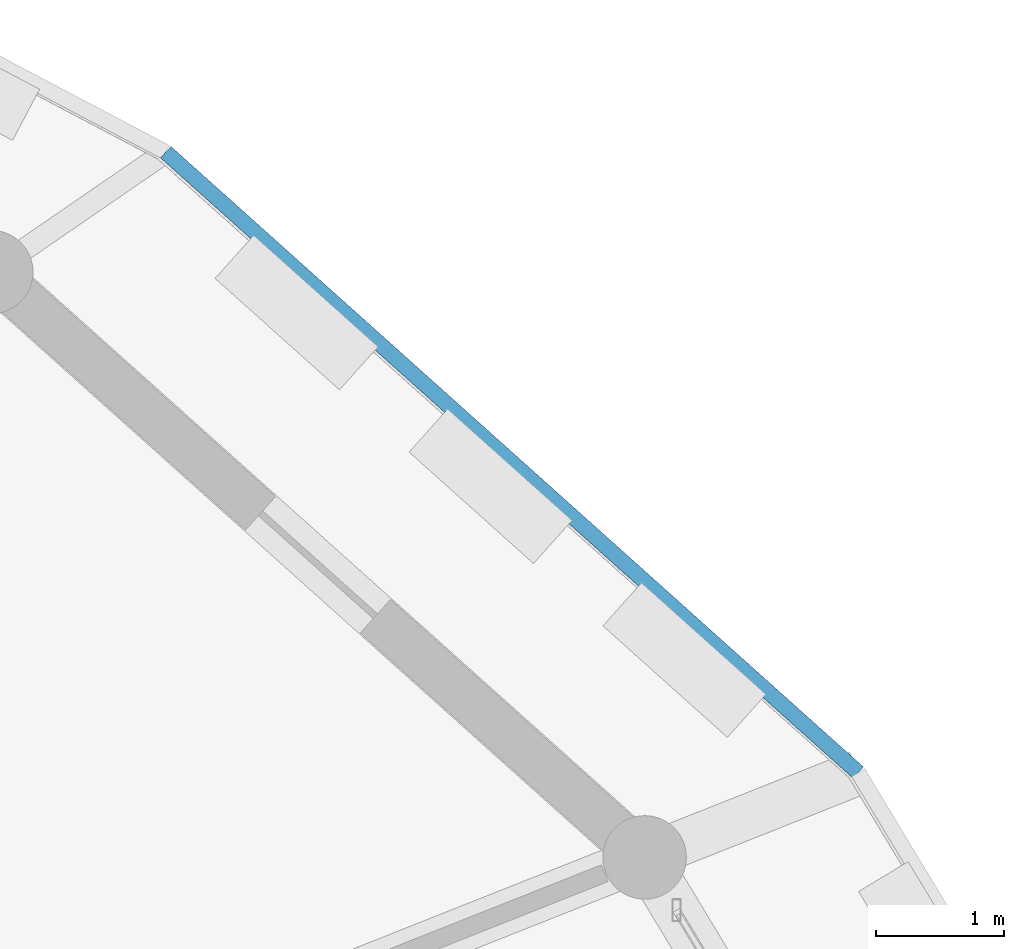
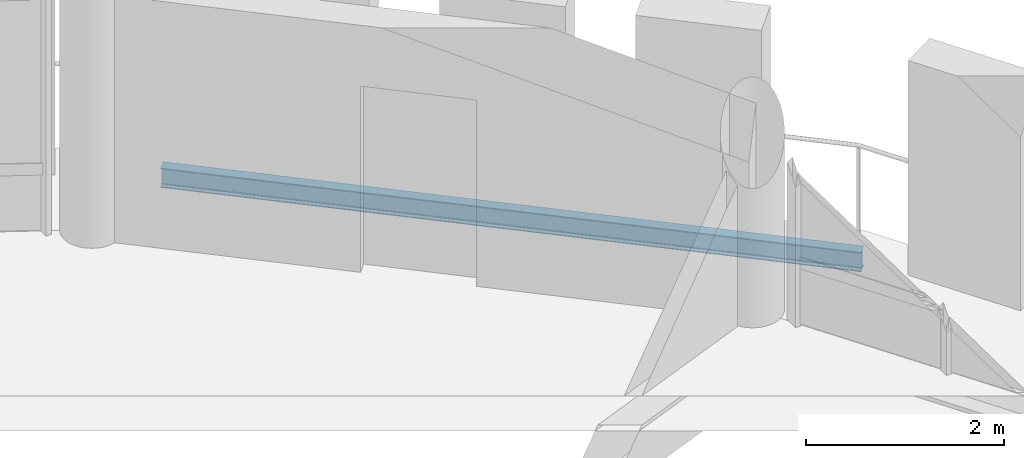
# One storey, part 51 of 93: 1 beam.
"""IFC4 building model written with IfcOpenShell, lengths in metres."""

from ifc_helpers import new_model, si_unit, direction, frame, origin, origin_2d, place, context, subcontext, project, spatial, i_section, extrude, material, material_profile, profile_set, type_object, element, save


model = new_model("IFC4")

# Units and contexts
model_context = context("Model", 3, precision=1e-05, world=origin(), true_north=direction((0.0, 1.0)))
body_context = subcontext(model_context, "Body", "Model", "MODEL_VIEW")
ifc_project = project(units=[si_unit("LENGTHUNIT", "METRE"), si_unit("AREAUNIT", "SQUARE_METRE"), si_unit("VOLUMEUNIT", "CUBIC_METRE"), si_unit("PLANEANGLEUNIT", "RADIAN"), si_unit("MASSUNIT", "GRAM", prefix="KILO")], contexts=[model_context])

# Site, building, storey
site_placement = place(None, origin())
site = spatial("IfcSite", under=ifc_project, at=site_placement, CompositionType="ELEMENT")
building_placement = place(site_placement, origin())
building = spatial("IfcBuilding", under=site, at=building_placement, Name="Zornivar Specialist Clinic", CompositionType="ELEMENT")
storey_placement = place(building_placement, frame((0.0, 0.0, 8.39990234375)))
storey = spatial("IfcBuildingStorey", under=building, at=storey_placement, Name="L02", CompositionType="ELEMENT", Elevation=8.39990234375)

# Beam
ifc_material = material(Name="Steel S355J2", Category="steel")
ifc_material_profile = material_profile(ifc_material, i_section(OverallWidth=0.1201171875, OverallDepth=0.239990234375, WebThickness=0.006103515625, FlangeThickness=0.009765625, FilletRadius=0.014892578125, at=origin_2d()), Name="IPE 240")
ifc_profile_set = profile_set([ifc_material_profile], Name="Steel S355J2")
beam_type = type_object("IfcBeamType", Name="BM-STL-IPE240", PredefinedType="JOIST", material=ifc_profile_set)
beam_placement = place(storey_placement, frame((122.97607421875, 69.260009765625, -0.35986328125), z_axis=(-0.744798316601, 0.66728964295, 0.0), x_axis=(-0.66728964295, -0.744798316601, 0.0)))
element("IfcBeam", 1, at=beam_placement, inside=storey, type_object=beam_type, Name="bm:V1:L02:balring:02", PredefinedType="JOIST", context=body_context, shape_type="SweptSolid", body=[
    extrude(i_section(OverallWidth=0.1201171875, OverallDepth=0.239990234375, WebThickness=0.006103515625, FlangeThickness=0.009765625, FilletRadius=0.014892578125, at=origin_2d()), origin(), (0.0, 0.0, 1.0), 7.23828125),
])

save(model, "model.ifc")
